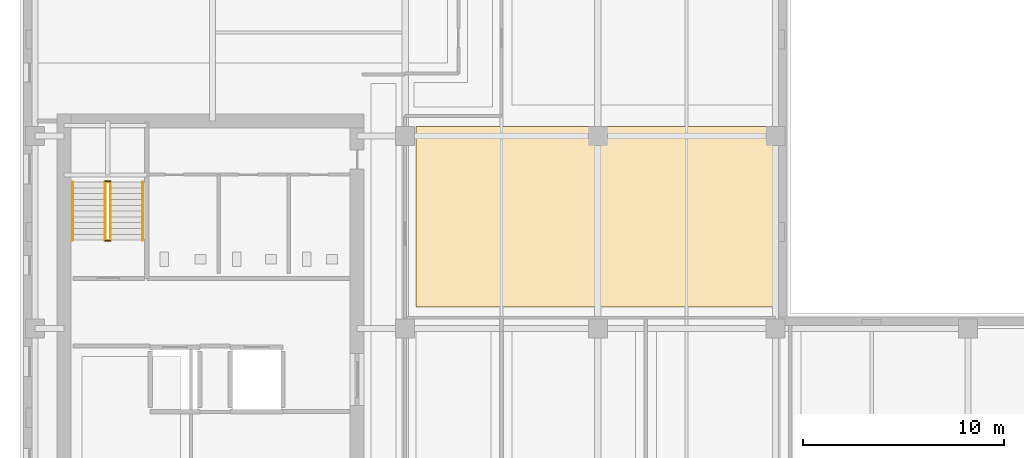
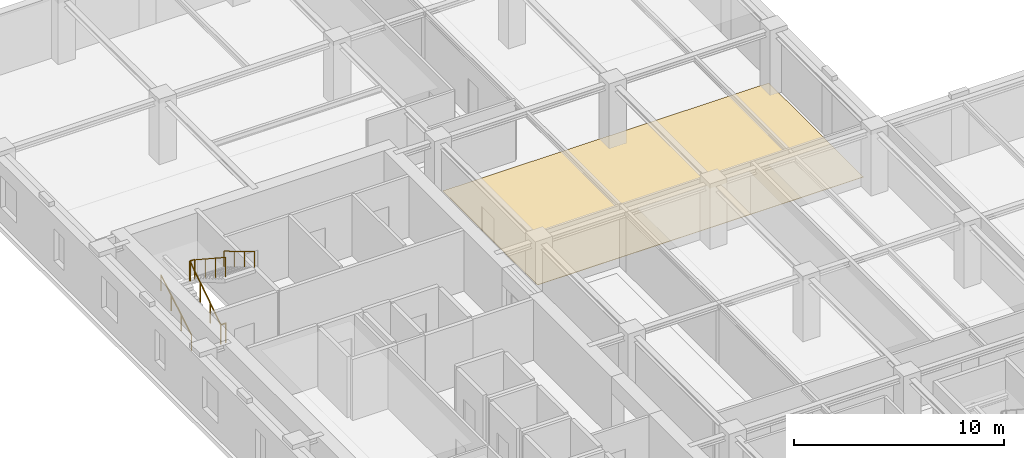
# One storey, part 11 of 13: 6 railings, 1 covering.
"""IFC4 building model written with IfcOpenShell, lengths in metres."""

from ifc_helpers import new_model, si_unit, direction, frame, origin, origin_2d, place, context, subcontext, project, spatial, polyline, circle, outline, extrude, material, layer, layer_set, type_object, element, save


model = new_model("IFC4")

# Units and contexts
model_context = context("Model", 3, precision=1e-05, world=origin(), true_north=direction((0.0, 1.0)))
body_context = subcontext(model_context, "Body", "Model", "MODEL_VIEW")
ifc_project = project(units=[si_unit("LENGTHUNIT", "METRE"), si_unit("AREAUNIT", "SQUARE_METRE"), si_unit("VOLUMEUNIT", "CUBIC_METRE"), si_unit("PLANEANGLEUNIT", "RADIAN"), si_unit("MASSUNIT", "GRAM", prefix="KILO")], contexts=[model_context])

# Site, building, storey
site_placement = place(None, origin())
site = spatial("IfcSite", under=ifc_project, at=site_placement, CompositionType="ELEMENT")
building_placement = place(site_placement, origin())
building = spatial("IfcBuilding", under=site, at=building_placement, Name="Norrvale University Quadrangle", CompositionType="ELEMENT")
storey_placement = place(building_placement, frame((0.0, 0.0, 178.800048828125)))
storey = spatial("IfcBuildingStorey", under=building, at=storey_placement, Name="L45", CompositionType="ELEMENT", Elevation=178.800048828125)

# Covering
ifc_material_1 = material(Name="Polished Terrazzo Flooring")
ifc_layer = layer(ifc_material_1, 0.02490234375, Name="Polished Terrazzo Flooring")
ifc_layer_set = layer_set([ifc_layer], Name="Polished Terrazzo Flooring")
covering_type = type_object("IfcCoveringType", Name="Covering Terrazzo Floor 30", PredefinedType="FLOORING", material=ifc_layer_set)
covering_placement = place(storey_placement, origin())
element("IfcCovering", 1, at=covering_placement, inside=storey, type_object=covering_type, Name="Terrazzo Flooring RM-L45-MNE01", PredefinedType="FLOORING", context=body_context, shape_type="SweptSolid", body=[
    extrude(outline(polyline([(19.72998046875, 47.719970703125), (37.64990234375, 47.719970703125), (37.64990234375, 38.7099609375), (19.72998046875, 38.7099609375), (19.72998046875, 47.719970703125)])), origin(), (0.0, 0.0, 1.0), 0.02490234375),
])

# Railings
ifc_material_2 = material(Name="Steel 350W Painted Balustrade", Category="steel")
railing_type_1 = type_object("IfcRailingType", Name="Railing Stair Guard 1100", PredefinedType="GUARDRAIL", material=ifc_material_2)
for number, where, name in (
    (2, (4.239990234375, 42.02001953125, 0.0), "Stair Floor Well Guard ST-02 L45"),
    (3, (4.239990234375, 44.97998046875, 1.89990234375), "Stair Mid-Landing Slot Guard ST-02 L45"),
):
    element("IfcRailing", number, at=place(storey_placement, frame(where)), inside=storey, type_object=railing_type_1, Name=name, PredefinedType="GUARDRAIL", context=body_context, shape_type="SweptSolid", body=[
        extrude(circle(Radius=0.02392578125, at=origin_2d()), frame((0.0, 0.0, 1.1259765625), z_axis=(1.0, 0.0, 0.0), x_axis=(0.0, 1.0, 0.0)), (0.0, 0.0, 1.0), 0.27001953125),
        extrude(circle(Radius=0.02099609375, at=origin_2d()), origin(), (0.0, 0.0, 1.0), 1.101806640625),
        extrude(circle(Radius=0.02099609375, at=origin_2d()), frame((0.27001953125, 0.0, 0.0)), (0.0, 0.0, 1.0), 1.101806640625),
    ])
railing_1_placement = place(storey_placement, frame((4.239990234375, 42.050048828125, 0.0)))
element("IfcRailing", 4, at=railing_1_placement, inside=storey, type_object=railing_type_1, Name="Stair Lower Flight Inner Guard ST-02 L45", PredefinedType="GUARDRAIL", context=body_context, shape_type="SweptSolid", body=[
    extrude(circle(Radius=0.02392578125, at=origin_2d()), frame((0.0, 0.0, 1.1259765625), z_axis=(0.0, 0.836465582154, 0.548019461216), x_axis=(-1.0, 0.0, 0.0)), (0.0, 0.0, 1.0), 3.466796875),
    extrude(circle(Radius=0.02099609375, at=origin_2d()), origin(), (0.0, 0.0, 1.0), 1.101806640625),
    extrude(circle(Radius=0.02099609375, at=origin_2d()), frame((0.0, 0.966552734375, 0.63330078125)), (0.0, 0.0, 1.0), 1.101806640625),
    extrude(circle(Radius=0.02099609375, at=origin_2d()), frame((0.0, 1.933349609375, 1.2666015625)), (0.0, 0.0, 1.0), 1.101806640625),
    extrude(circle(Radius=0.02099609375, at=origin_2d()), frame((0.0, 2.89990234375, 1.89990234375)), (0.0, 0.0, 1.0), 1.101806640625),
])
railing_2_placement = place(storey_placement, frame((4.510009765625, 44.949951171875, 1.89990234375)))
element("IfcRailing", 5, at=railing_2_placement, inside=storey, type_object=railing_type_1, Name="Stair Upper Flight Inner Guard ST-02 L45", PredefinedType="GUARDRAIL", context=body_context, shape_type="SweptSolid", body=[
    extrude(circle(Radius=0.02392578125, at=origin_2d()), frame((0.0, 0.0, 1.1259765625), z_axis=(0.0, -0.836433300813, 0.548068730445), x_axis=(1.0, 0.0, 0.0)), (0.0, 0.0, 1.0), 3.467041015625),
    extrude(circle(Radius=0.02099609375, at=origin_2d()), origin(), (0.0, 0.0, 1.0), 1.101806640625),
    extrude(circle(Radius=0.02099609375, at=origin_2d()), frame((0.0, -0.966552734375, 0.63330078125)), (0.0, 0.0, 1.0), 1.101806640625),
    extrude(circle(Radius=0.02099609375, at=origin_2d()), frame((0.0, -1.933349609375, 1.266845703125)), (0.0, 0.0, 1.0), 1.101806640625),
    extrude(circle(Radius=0.02099609375, at=origin_2d()), frame((0.0, -2.89990234375, 1.900146484375)), (0.0, 0.0, 1.0), 1.101806640625),
])
ifc_material_3 = material(Name="Stainless Steel 316L Handrail", Category="steel")
railing_type_2 = type_object("IfcRailingType", Name="Railing Stair Handrail 920", PredefinedType="HANDRAIL", material=ifc_material_3)
railing_3_placement = place(storey_placement, frame((2.639892578125, 42.050048828125, 0.172607421875)))
element("IfcRailing", 6, at=railing_3_placement, inside=storey, type_object=railing_type_2, Name="Stair Lower Flight Handrail ST-02 L45", PredefinedType="HANDRAIL", context=body_context, shape_type="SweptSolid", body=[
    extrude(circle(Radius=0.02392578125, at=origin_2d()), frame((0.0, 0.0, 0.89599609375), z_axis=(0.0, 0.859141464434, 0.511738159696), x_axis=(-1.0, 0.0, 0.0)), (0.0, 0.0, 1.0), 3.375244140625),
    extrude(circle(Radius=0.02099609375, at=origin_2d()), origin(), (0.0, 0.0, 1.0), 0.871826171875),
    extrude(circle(Radius=0.02099609375, at=origin_2d()), frame((0.0, 0.966552734375, 0.57568359375)), (0.0, 0.0, 1.0), 0.871826171875),
    extrude(circle(Radius=0.02099609375, at=origin_2d()), frame((0.0, 1.933349609375, 1.151611328125)), (0.0, 0.0, 1.0), 0.871826171875),
    extrude(circle(Radius=0.02099609375, at=origin_2d()), frame((0.0, 2.89990234375, 1.727294921875)), (0.0, 0.0, 1.0), 0.871826171875),
])
railing_4_placement = place(storey_placement, frame((6.110107421875, 44.949951171875, 2.07275390625)))
element("IfcRailing", 7, at=railing_4_placement, inside=storey, type_object=railing_type_2, Name="Stair Upper Flight Handrail ST-02 L45", PredefinedType="HANDRAIL", context=body_context, shape_type="SweptSolid", body=[
    extrude(circle(Radius=0.02392578125, at=origin_2d()), frame((0.0, 0.0, 0.89599609375), z_axis=(0.0, -0.859141464434, 0.511738159696), x_axis=(1.0, 0.0, 0.0)), (0.0, 0.0, 1.0), 3.375244140625),
    extrude(circle(Radius=0.02099609375, at=origin_2d()), origin(), (0.0, 0.0, 1.0), 0.871826171875),
    extrude(circle(Radius=0.02099609375, at=origin_2d()), frame((0.0, -0.966552734375, 0.57568359375)), (0.0, 0.0, 1.0), 0.871826171875),
    extrude(circle(Radius=0.02099609375, at=origin_2d()), frame((0.0, -1.933349609375, 1.151611328125)), (0.0, 0.0, 1.0), 0.871826171875),
    extrude(circle(Radius=0.02099609375, at=origin_2d()), frame((0.0, -2.89990234375, 1.727294921875)), (0.0, 0.0, 1.0), 0.871826171875),
])

save(model, "model.ifc")
